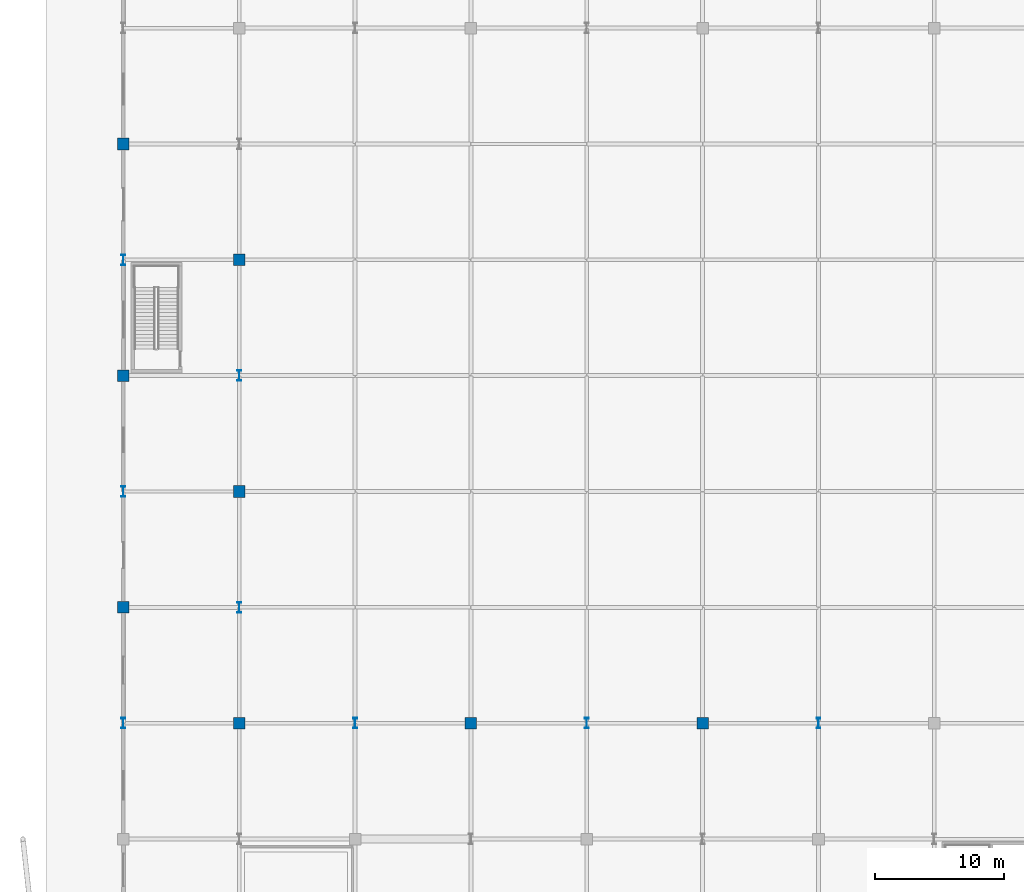
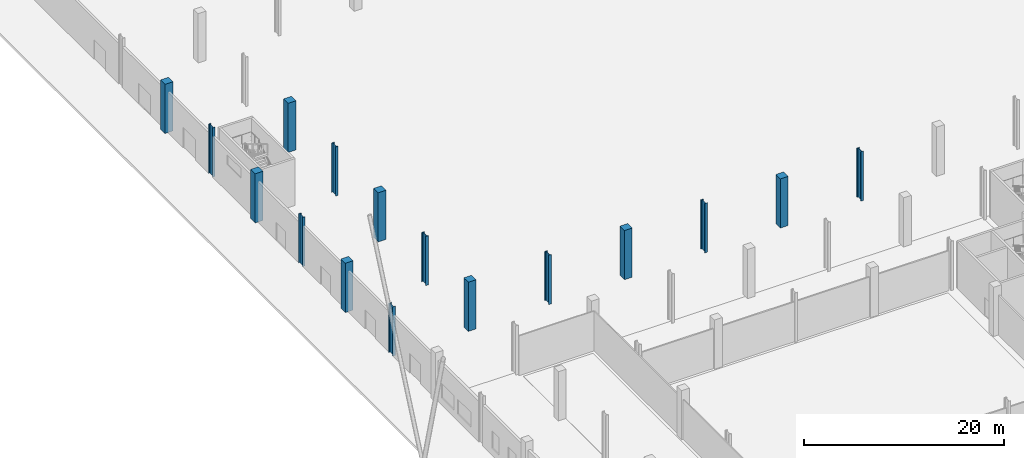
# One storey, part 5 of 58: 16 columns.
"""IFC4 building model written with IfcOpenShell, lengths in metres."""

from ifc_helpers import new_model, si_unit, direction, frame, origin, origin_2d, place, context, subcontext, project, spatial, rectangle, i_section, extrude, material, material_profile, profile_set, type_object, element, save


model = new_model("IFC4")

# Units and contexts
model_context = context("Model", 3, precision=1e-05, world=origin(), true_north=direction((0.0, 1.0)))
body_context = subcontext(model_context, "Body", "Model", "MODEL_VIEW")
ifc_project = project(units=[si_unit("LENGTHUNIT", "METRE"), si_unit("AREAUNIT", "SQUARE_METRE"), si_unit("VOLUMEUNIT", "CUBIC_METRE"), si_unit("PLANEANGLEUNIT", "RADIAN"), si_unit("MASSUNIT", "GRAM", prefix="KILO")], contexts=[model_context])

# Site, building, storey
site_placement = place(None, origin())
site = spatial("IfcSite", under=ifc_project, at=site_placement, CompositionType="ELEMENT")
building_placement = place(site_placement, origin())
building = spatial("IfcBuilding", under=site, at=building_placement, Name="Barlavento Convention Centre", CompositionType="ELEMENT")
storey_placement = place(building_placement, origin())
storey = spatial("IfcBuildingStorey", under=building, at=storey_placement, Name="L00", CompositionType="ELEMENT", Elevation=0.0)

# Columns
ifc_material_1 = material(Name="Steel S460", Category="steel")
ifc_material_profile_1 = material_profile(ifc_material_1, i_section(OverallWidth=0.302978515625, OverallDepth=0.81396484375, WebThickness=0.02099609375, FlangeThickness=0.0400390625, FilletRadius=0.030029296875, at=origin_2d()), Name="HEM 800")
ifc_profile_set_1 = profile_set([ifc_material_profile_1], Name="Steel S460")
column_type_1 = type_object("IfcColumnType", Name="STR-COL-HEM800", PredefinedType="COLUMN", material=ifc_profile_set_1)
for number, where, z_axis, x_axis, name in (
    (1, (0.0, 63.0, 0.0), (0.0, 0.0, 1.0), (1.0, 0.0, 0.0), "L00 column SC02"),
    (2, (0.0, 81.0, 0.0), (0.0, 0.0, 1.0), (1.0, 0.0, 0.0), "L00 column SC02"),
    (3, (0.0, 99.0, 0.0), (0.0, 0.0, 1.0), (1.0, 0.0, 0.0), "L00 column SC02"),
    (4, (9.0, 72.0, 0.0), (0.0, 0.0, 1.0), (1.0, 0.0, 0.0), "L00 column SC02"),
    (5, (9.0, 90.0, 0.0), (0.0, 0.0, 1.0), (1.0, 0.0, 0.0), "L00 column SC02"),
    (6, (18.0, 63.0, 0.0), (0.0, 0.0, 1.0), (1.0, 0.0, 0.0), "L00 column SC02"),
    (7, (36.0, 63.0, 0.0), (0.0, 0.0, 1.0), (1.0, 0.0, 0.0), "L00 column SC02"),
    (8, (54.0, 63.0, 0.0), (0.0, 0.0, 1.0), (1.0, 0.0, 0.0), "L00 column SC02"),
):
    element("IfcColumn", number, at=place(storey_placement, frame(where, z_axis=z_axis, x_axis=x_axis)), inside=storey, type_object=column_type_1, Name=name, PredefinedType="COLUMN", context=body_context, shape_type="SweptSolid", body=[
        extrude(i_section(OverallWidth=0.302978515625, OverallDepth=0.81396484375, WebThickness=0.02099609375, FlangeThickness=0.0400390625, FilletRadius=0.030029296875, at=origin_2d()), origin(), (0.0, 0.0, 1.0), 6.0),
    ])
ifc_material_2 = material(Name="Concrete C50/60", Category="concrete")
ifc_material_profile_2 = material_profile(ifc_material_2, rectangle(XDim=0.89990234375, YDim=0.89990234375, at=origin_2d()), Name="RC 900x900")
ifc_profile_set_2 = profile_set([ifc_material_profile_2], Name="Concrete C50/60")
column_type_2 = type_object("IfcColumnType", Name="STR-COL-RC900", PredefinedType="COLUMN", material=ifc_profile_set_2)
for number, where, z_axis, x_axis, name in (
    (9, (0.0, 72.0, 0.0), (0.0, 0.0, 1.0), (1.0, 0.0, 0.0), "L00 column CC04"),
    (10, (0.0, 90.0, 0.0), (0.0, 0.0, 1.0), (1.0, 0.0, 0.0), "L00 column CC04"),
    (11, (0.0, 108.0, 0.0), (0.0, 0.0, 1.0), (1.0, 0.0, 0.0), "L00 column CC04"),
    (12, (9.0, 63.0, 0.0), (0.0, 0.0, 1.0), (1.0, 0.0, 0.0), "L00 column CC04"),
    (13, (9.0, 81.0, 0.0), (0.0, 0.0, 1.0), (1.0, 0.0, 0.0), "L00 column CC04"),
    (14, (9.0, 99.0, 0.0), (0.0, 0.0, 1.0), (1.0, 0.0, 0.0), "L00 column CC04"),
    (15, (27.0, 63.0, 0.0), (0.0, 0.0, 1.0), (1.0, 0.0, 0.0), "L00 column CC04"),
    (16, (45.0, 63.0, 0.0), (0.0, 0.0, 1.0), (1.0, 0.0, 0.0), "L00 column CC04"),
):
    element("IfcColumn", number, at=place(storey_placement, frame(where, z_axis=z_axis, x_axis=x_axis)), inside=storey, type_object=column_type_2, Name=name, PredefinedType="COLUMN", context=body_context, shape_type="SweptSolid", body=[
        extrude(rectangle(XDim=0.89990234375, YDim=0.89990234375, at=origin_2d()), origin(), (0.0, 0.0, 1.0), 6.0),
    ])

save(model, "model.ifc")
